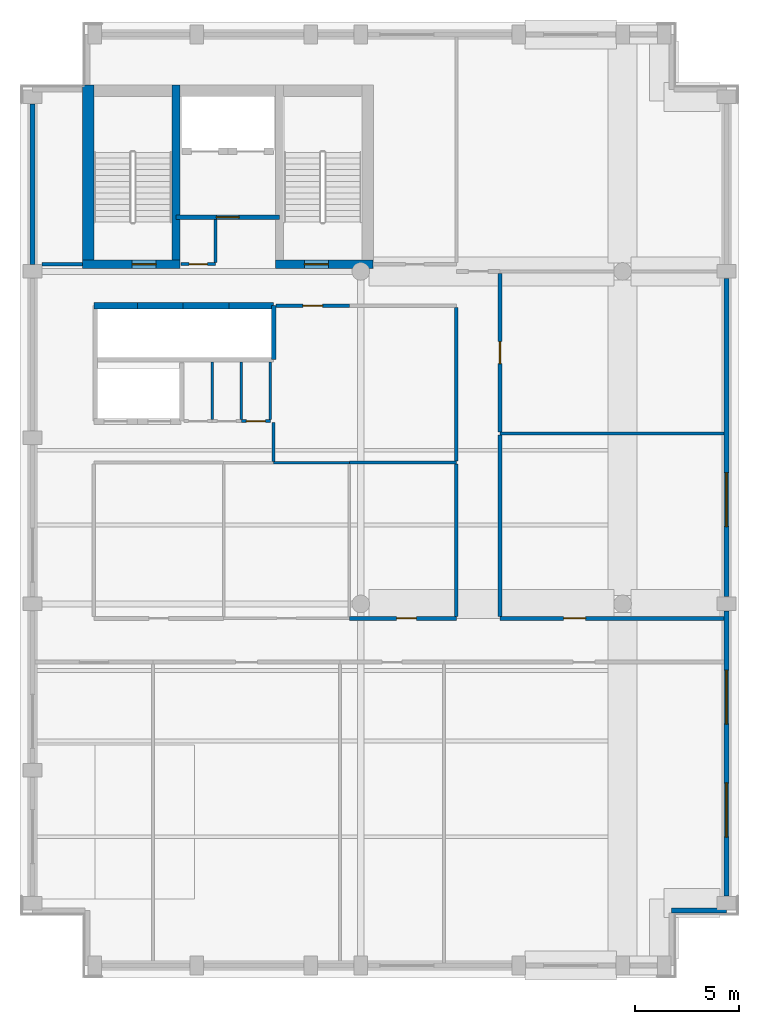
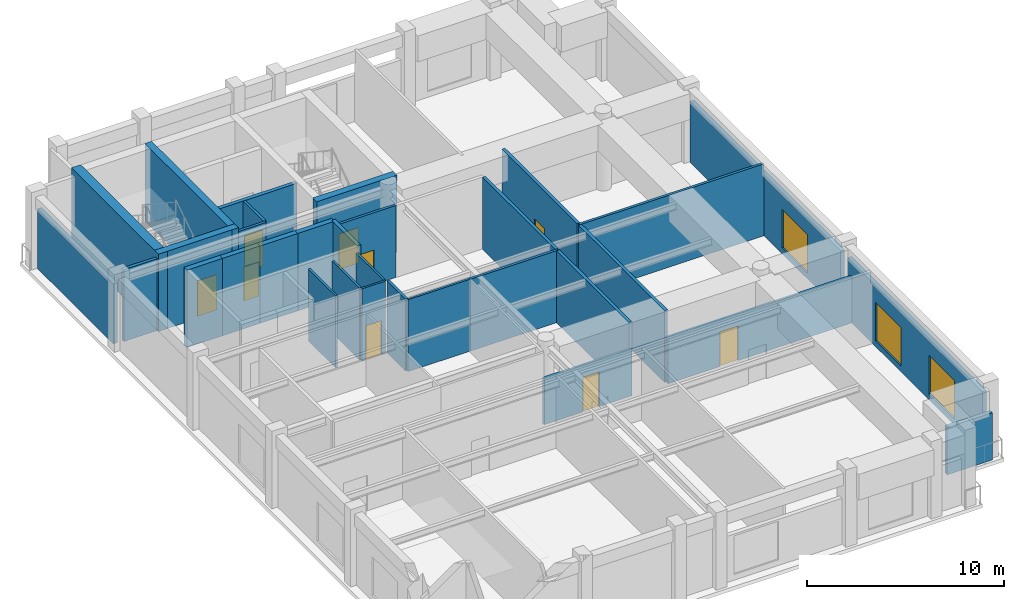
# One storey, part 3 of 6: 32 walls, 9 doors, 3 windows, 12 openings.
"""IFC4 building model written with IfcOpenShell, lengths in metres."""

from ifc_helpers import new_model, si_unit, direction, frame, frame_2d, origin, place, context, subcontext, project, spatial, rectangle, extrude, material, layer, layer_set, type_object, element, fill, save


model = new_model("IFC4")

# Units and contexts
model_context = context("Model", 3, precision=1e-05, world=origin(), true_north=direction((0.0, 1.0)))
body_context = subcontext(model_context, "Body", "Model", "MODEL_VIEW")
ifc_project = project(units=[si_unit("LENGTHUNIT", "METRE"), si_unit("AREAUNIT", "SQUARE_METRE"), si_unit("VOLUMEUNIT", "CUBIC_METRE"), si_unit("PLANEANGLEUNIT", "RADIAN"), si_unit("MASSUNIT", "GRAM", prefix="KILO")], contexts=[model_context])

# Site, building, storey
site_placement = place(None, origin())
site = spatial("IfcSite", under=ifc_project, at=site_placement, CompositionType="ELEMENT")
building_placement = place(site_placement, origin())
building = spatial("IfcBuilding", under=site, at=building_placement, Name="Sulina Concourse Tower", CompositionType="ELEMENT")
storey_placement = place(building_placement, frame((0.0, 0.0, 313.0)))
storey = spatial("IfcBuildingStorey", under=building, at=storey_placement, Name="L76", CompositionType="ELEMENT", Elevation=313.0)

# Walls
ifc_material_1 = material(Name="Concrete C50/60", Category="concrete")
ifc_layer_1 = layer(ifc_material_1, 0.219970703125)
ifc_layer_set_1 = layer_set([ifc_layer_1], Name="Concrete C50/60")
wall_type_1 = type_object("IfcWallType", Name="Core Lift Hoistway Divider Wall 220mm", PredefinedType="SOLIDWALL", material=ifc_layer_set_1)
wall_1_placement = place(storey_placement, frame((12.219970703125, 29.75, 0.0), z_axis=(0.0, 0.0, 1.0), x_axis=(0.0, 1.0, 0.0)))
element("IfcWall", 1, at=wall_1_placement, inside=storey, type_object=wall_type_1, Name="L76 shaft divider wall HW-LP3-E", PredefinedType="SOLIDWALL", context=body_context, shape_type="SweptSolid", body=[
    extrude(rectangle(XDim=2.60009765625, YDim=0.219970703125, at=frame_2d((1.300048828125, 0.0))), origin(), (0.0, 0.0, 1.0), 4.800048828125),
])
ifc_material_2 = material(Name="Concrete C50/60", Category="concrete")
ifc_layer_2 = layer(ifc_material_2, 0.300048828125)
ifc_layer_set_2 = layer_set([ifc_layer_2], Name="Concrete C50/60")
wall_type_2 = type_object("IfcWallType", Name="Core Lift Hoistway Wall 300mm", PredefinedType="SOLIDWALL", material=ifc_layer_set_2)
wall_2_placement = place(storey_placement, frame((3.550048828125, 32.35009765625, 0.0), z_axis=(0.0, 0.0, 1.0), x_axis=(1.0, 0.0, 0.0)))
element("IfcWall", 2, at=wall_2_placement, inside=storey, type_object=wall_type_2, Name="L76 hoistway enclosure wall LP-09", PredefinedType="SOLIDWALL", context=body_context, shape_type="SweptSolid", body=[
    extrude(rectangle(XDim=2.099853515625, YDim=0.300048828125, at=frame_2d((1.0498046875, 0.0))), origin(), (0.0, 0.0, 1.0), 4.800048828125),
])
wall_3_placement = place(storey_placement, frame((5.64990234375, 32.35009765625, 0.0), z_axis=(0.0, 0.0, 1.0), x_axis=(1.0, 0.0, 0.0)))
element("IfcWall", 3, at=wall_3_placement, inside=storey, type_object=wall_type_2, Name="L76 hoistway enclosure wall LP-10", PredefinedType="SOLIDWALL", context=body_context, shape_type="SweptSolid", body=[
    extrude(rectangle(XDim=2.2001953125, YDim=0.300048828125, at=frame_2d((1.10009765625, 0.0))), origin(), (0.0, 0.0, 1.0), 4.800048828125),
])
wall_4_placement = place(storey_placement, frame((7.85009765625, 32.35009765625, 0.0), z_axis=(0.0, 0.0, 1.0), x_axis=(1.0, 0.0, 0.0)))
element("IfcWall", 4, at=wall_4_placement, inside=storey, type_object=wall_type_2, Name="L76 hoistway enclosure wall LP-11", PredefinedType="SOLIDWALL", context=body_context, shape_type="SweptSolid", body=[
    extrude(rectangle(XDim=2.199951171875, YDim=0.300048828125, at=frame_2d((1.10009765625, 0.0))), origin(), (0.0, 0.0, 1.0), 4.800048828125),
])
wall_5_placement = place(storey_placement, frame((10.050048828125, 32.35009765625, 0.0), z_axis=(0.0, 0.0, 1.0), x_axis=(1.0, 0.0, 0.0)))
element("IfcWall", 5, at=wall_5_placement, inside=storey, type_object=wall_type_2, Name="L76 hoistway enclosure wall LP-12", PredefinedType="SOLIDWALL", context=body_context, shape_type="SweptSolid", body=[
    extrude(rectangle(XDim=2.14990234375, YDim=0.300048828125, at=frame_2d((1.074951171875, 0.0))), origin(), (0.0, 0.0, 1.0), 4.800048828125),
])
ifc_material_3 = material(Name="Precast concrete C50/60", Category="concrete")
ifc_layer_3 = layer(ifc_material_3, 0.239990234375)
ifc_layer_set_3 = layer_set([ifc_layer_3], Name="Precast concrete C50/60")
wall_type_3 = type_object("IfcWallType", Name="Crown Precast Masonry-Frame Facade Wall 240mm", PredefinedType="SOLIDWALL", material=ifc_layer_set_3)
wall_6_placement = place(storey_placement, frame((0.60009765625, 34.344970703125, 0.0), z_axis=(0.0, 0.0, 1.0), x_axis=(0.0, 1.0, 0.0)))
element("IfcWall", 6, at=wall_6_placement, inside=storey, type_object=wall_type_3, Name="L76 exterior precast wall W5", PredefinedType="SOLIDWALL", context=body_context, shape_type="SweptSolid", body=[
    extrude(rectangle(XDim=7.7099609375, YDim=0.239990234375, at=frame_2d((3.85498046875, 0.0))), origin(), (0.0, 0.0, 1.0), 3.7099609375),
])

# Wall, openings, windows
wall_7_placement = place(storey_placement, frame((34.0, 17.655029296875, 0.0), z_axis=(0.0, 0.0, 1.0), x_axis=(0.0, -1.0, 0.0)))
wall_7 = element("IfcWall", 7, at=wall_7_placement, inside=storey, type_object=wall_type_3, Name="L76 exterior precast wall E1", PredefinedType="SOLIDWALL", context=body_context, shape_type="SweptSolid", body=[
    extrude(rectangle(XDim=13.7099609375, YDim=0.239990234375, at=frame_2d((6.85498046875, 0.0))), origin(), (0.0, 0.0, 1.0), 3.780029296875),
])
opening_1_placement = place(wall_7_placement, frame((2.836669921875, 0.0, 0.35009765625)))
opening_1 = element("IfcOpeningElement", 8, at=opening_1_placement, cuts=wall_7, Name="Opening WN-68", PredefinedType="OPENING", context=body_context, shape_type="SweptSolid", body=[
    extrude(rectangle(XDim=2.60009765625, YDim=2.39990234375, at=frame_2d((1.300048828125, 1.199951171875))), frame((0.0, 0.1298828125, 0.0), z_axis=(0.0, -1.0, 0.0), x_axis=(1.0, 0.0, 0.0)), (0.0, 0.0, 1.0), 0.260009765625),
])
opening_2_placement = place(wall_7_placement, frame((8.273193359375, 0.0, 0.35009765625)))
opening_2 = element("IfcOpeningElement", 9, at=opening_2_placement, cuts=wall_7, Name="Opening WN-68", PredefinedType="OPENING", context=body_context, shape_type="SweptSolid", body=[
    extrude(rectangle(XDim=2.60009765625, YDim=2.39990234375, at=frame_2d((1.300048828125, 1.199951171875))), frame((0.0, 0.1298828125, 0.0), z_axis=(0.0, -1.0, 0.0), x_axis=(1.0, 0.0, 0.0)), (0.0, 0.0, 1.0), 0.260009765625),
])
ifc_material_4 = material(Name="Low-E solar double glazing in bronze aluminium", Category="aluminium")
window_type = type_object("IfcWindowType", Name="Crown Observation Picture Window 2600x2400", PartitioningType="DOUBLE_PANEL_VERTICAL", PredefinedType="WINDOW", material=ifc_material_4)
window_1_placement = place(opening_1_placement, origin())
window_1 = element("IfcWindow", 10, at=window_1_placement, inside=storey, type_object=window_type, Name="L76 punched window E1-1", OverallHeight=2.39990234375, OverallWidth=2.60009765625, PartitioningType="SINGLE_PANEL", PredefinedType="WINDOW", context=body_context, shape_type="SweptSolid", body=[
    extrude(rectangle(XDim=2.60009765625, YDim=2.39990234375, at=frame_2d((1.300048828125, 1.199951171875))), frame((0.0, 0.030029296875, 0.0), z_axis=(0.0, -1.0, 0.0), x_axis=(1.0, 0.0, 0.0)), (0.0, 0.0, 1.0), 0.06005859375),
])
fill(opening_1, window_1)
window_2_placement = place(opening_2_placement, origin())
window_2 = element("IfcWindow", 11, at=window_2_placement, inside=storey, type_object=window_type, Name="L76 punched window E1-2", OverallHeight=2.39990234375, OverallWidth=2.60009765625, PartitioningType="SINGLE_PANEL", PredefinedType="WINDOW", context=body_context, shape_type="SweptSolid", body=[
    extrude(rectangle(XDim=2.60009765625, YDim=2.39990234375, at=frame_2d((1.300048828125, 1.199951171875))), frame((0.0, 0.030029296875, 0.0), z_axis=(0.0, -1.0, 0.0), x_axis=(1.0, 0.0, 0.0)), (0.0, 0.0, 1.0), 0.06005859375),
])
fill(opening_2, window_2)

# Wall, opening, window
wall_8_placement = place(storey_placement, frame((34.0, 33.655029296875, 0.0), z_axis=(0.0, 0.0, 1.0), x_axis=(0.0, -1.0, 0.0)))
wall_8 = element("IfcWall", 12, at=wall_8_placement, inside=storey, type_object=wall_type_3, Name="L76 exterior precast wall E2", PredefinedType="SOLIDWALL", context=body_context, shape_type="SweptSolid", body=[
    extrude(rectangle(XDim=15.31005859375, YDim=0.239990234375, at=frame_2d((7.655029296875, 0.0))), origin(), (0.0, 0.0, 1.0), 3.780029296875),
])
opening_3_placement = place(wall_8_placement, frame((9.340087890625, 0.0, 0.35009765625)))
opening_3 = element("IfcOpeningElement", 13, at=opening_3_placement, cuts=wall_8, Name="Opening WN-68", PredefinedType="OPENING", context=body_context, shape_type="SweptSolid", body=[
    extrude(rectangle(XDim=2.60009765625, YDim=2.39990234375, at=frame_2d((1.300048828125, 1.199951171875))), frame((0.0, 0.1298828125, 0.0), z_axis=(0.0, -1.0, 0.0), x_axis=(1.0, 0.0, 0.0)), (0.0, 0.0, 1.0), 0.260009765625),
])
window_3_placement = place(opening_3_placement, origin())
window_3 = element("IfcWindow", 14, at=window_3_placement, inside=storey, type_object=window_type, Name="L76 punched window E2-1", OverallHeight=2.39990234375, OverallWidth=2.60009765625, PartitioningType="SINGLE_PANEL", PredefinedType="WINDOW", context=body_context, shape_type="SweptSolid", body=[
    extrude(rectangle(XDim=2.60009765625, YDim=2.39990234375, at=frame_2d((1.300048828125, 1.199951171875))), frame((0.0, 0.030029296875, 0.0), z_axis=(0.0, -1.0, 0.0), x_axis=(1.0, 0.0, 0.0)), (0.0, 0.0, 1.0), 0.06005859375),
])
fill(opening_3, window_3)

# Wall
wall_9_placement = place(storey_placement, frame((34.0, 3.2548828125, 0.0), z_axis=(0.0, 0.0, 1.0), x_axis=(-1.0, 0.0, 0.0)))
element("IfcWall", 15, at=wall_9_placement, inside=storey, type_object=wall_type_3, Name="L76 exterior precast wall CSE1", PredefinedType="SOLIDWALL", context=body_context, shape_type="SweptSolid", body=[
    extrude(rectangle(XDim=2.655029296875, YDim=0.239990234375, at=frame_2d((1.32763671875, 0.0))), origin(), (0.0, 0.0, 1.0), 2.929931640625),
])

# Wall, opening, door
ifc_material_5 = material(Name="Gypsum board on steel stud", Category="steel")
ifc_layer_4 = layer(ifc_material_5, 0.219970703125)
ifc_layer_set_4 = layer_set([ifc_layer_4], Name="Gypsum board on steel stud")
wall_type_4 = type_object("IfcWallType", Name="Fire-Rated Lobby & Compartment Wall 220mm", PredefinedType="PARTITIONING", material=ifc_layer_set_4)
wall_10_placement = place(storey_placement, frame((7.510009765625, 36.60009765625, 0.0), z_axis=(0.0, 0.0, 1.0), x_axis=(1.0, 0.0, 0.0)))
wall_10 = element("IfcWall", 16, at=wall_10_placement, inside=storey, type_object=wall_type_4, Name="L76 firefighting lobby south fire wall", PredefinedType="PARTITIONING", context=body_context, shape_type="SweptSolid", body=[
    extrude(rectangle(XDim=4.97998046875, YDim=0.219970703125, at=frame_2d((2.489990234375, 0.0))), origin(), (0.0, 0.0, 1.0), 4.4599609375),
])
opening_4_placement = place(wall_10_placement, frame((1.93994140625, 0.0, 0.0)))
opening_4 = element("IfcOpeningElement", 17, at=opening_4_placement, cuts=wall_10, Name="Opening DR-47", PredefinedType="OPENING", context=body_context, shape_type="SweptSolid", body=[
    extrude(rectangle(XDim=1.10009765625, YDim=2.199951171875, at=frame_2d((0.550048828125, 1.10009765625))), frame((0.0, 0.119873046875, 0.0), z_axis=(0.0, -1.0, 0.0), x_axis=(1.0, 0.0, 0.0)), (0.0, 0.0, 1.0), 0.239990234375),
])
ifc_material_6 = material(Name="Galvanised steel acoustic fire leaf", Category="steel")
ifc_layer_5 = layer(ifc_material_6, 0.054931640625)
ifc_layer_set_5 = layer_set([ifc_layer_5], Name="Galvanised steel acoustic fire leaf")
door_type_1 = type_object("IfcDoorType", Name="Firefighting Lobby Fire Door 1100x2200", OperationType="NOTDEFINED", PredefinedType="DOOR", material=ifc_layer_set_5)
door_1_placement = place(opening_4_placement, origin())
door_1 = element("IfcDoor", 18, at=door_1_placement, inside=storey, type_object=door_type_1, Name="L76 firefighting lobby fire door", OperationType="SINGLE_SWING_LEFT", OverallHeight=2.199951171875, OverallWidth=1.10009765625, PredefinedType="DOOR", context=body_context, shape_type="SweptSolid", body=[
    extrude(rectangle(XDim=1.10009765625, YDim=2.199951171875, at=frame_2d((0.550048828125, 1.10009765625))), frame((0.0, 0.02490234375, 0.0), z_axis=(0.0, -1.0, 0.0), x_axis=(1.0, 0.0, 0.0)), (0.0, 0.0, 1.0), 0.050048828125),
])
fill(opening_4, door_1)

# Walls
ifc_material_7 = material(Name="Gypsum board on steel stud", Category="steel")
ifc_layer_6 = layer(ifc_material_7, 0.14990234375)
ifc_layer_set_6 = layer_set([ifc_layer_6], Name="Gypsum board on steel stud")
wall_type_5 = type_object("IfcWallType", Name="Inter-Tenancy Acoustic Partition 150mm", PredefinedType="PARTITIONING", material=ifc_layer_set_6)
wall_11_placement = place(storey_placement, frame((15.85009765625, 24.800048828125, 0.0), z_axis=(0.0, 0.0, 1.0), x_axis=(1.0, 0.0, 0.0)))
element("IfcWall", 19, at=wall_11_placement, inside=storey, type_object=wall_type_5, Name="L76 interior partition 012", PredefinedType="PARTITIONING", context=body_context, shape_type="SweptSolid", body=[
    extrude(rectangle(XDim=5.14990234375, YDim=0.14990234375, at=frame_2d((2.574951171875, 0.0))), origin(), (0.0, 0.0, 1.0), 4.4599609375),
])
wall_12_placement = place(storey_placement, frame((23.10009765625, 26.199951171875, 0.0), z_axis=(0.0, 0.0, 1.0), x_axis=(1.0, 0.0, 0.0)))
element("IfcWall", 20, at=wall_12_placement, inside=storey, type_object=wall_type_5, Name="L76 interior partition 013", PredefinedType="PARTITIONING", context=body_context, shape_type="SweptSolid", body=[
    extrude(rectangle(XDim=10.77978515625, YDim=0.14990234375, at=frame_2d((5.389892578125, 0.0))), origin(), (0.0, 0.0, 1.0), 4.4599609375),
])

# Wall, opening, door
wall_13_placement = place(storey_placement, frame((12.330078125, 32.35009765625, 0.0), z_axis=(0.0, 0.0, 1.0), x_axis=(1.0, 0.0, 0.0)))
wall_13 = element("IfcWall", 21, at=wall_13_placement, inside=storey, type_object=wall_type_5, Name="L76 interior partition 017", PredefinedType="PARTITIONING", context=body_context, shape_type="SweptSolid", body=[
    extrude(rectangle(XDim=3.52001953125, YDim=0.14990234375, at=frame_2d((1.760009765625, 0.0))), origin(), (0.0, 0.0, 1.0), 4.4599609375),
])
opening_5_placement = place(wall_13_placement, frame((1.284912109375, 0.0, 0.0)))
opening_5 = element("IfcOpeningElement", 22, at=opening_5_placement, cuts=wall_13, Name="Opening DR-19", PredefinedType="OPENING", context=body_context, shape_type="SweptSolid", body=[
    extrude(rectangle(XDim=0.949951171875, YDim=2.14990234375, at=frame_2d((0.47509765625, 1.074951171875))), frame((0.0, 0.0849609375, 0.0), z_axis=(0.0, -1.0, 0.0), x_axis=(1.0, 0.0, 0.0)), (0.0, 0.0, 1.0), 0.169921875),
])
ifc_material_8 = material(Name="Oak-veneered acoustic timber leaf", Category="wood")
ifc_layer_7 = layer(ifc_material_8, 0.050048828125)
ifc_layer_set_7 = layer_set([ifc_layer_7], Name="Oak-veneered acoustic timber leaf")
door_type_2 = type_object("IfcDoorType", Name="Cellular Office & Meeting Door 950x2150", OperationType="NOTDEFINED", PredefinedType="DOOR", material=ifc_layer_set_7)
door_2_placement = place(opening_5_placement, origin())
door_2 = element("IfcDoor", 23, at=door_2_placement, inside=storey, type_object=door_type_2, Name="L76 interior door L76-MR-MRG1", OperationType="SINGLE_SWING_RIGHT", OverallHeight=2.14990234375, OverallWidth=0.949951171875, PredefinedType="DOOR", context=body_context, shape_type="SweptSolid", body=[
    extrude(rectangle(XDim=0.949951171875, YDim=2.14990234375, at=frame_2d((0.47509765625, 1.074951171875))), frame((0.0, 0.02490234375, 0.0), z_axis=(0.0, -1.0, 0.0), x_axis=(1.0, 0.0, 0.0)), (0.0, 0.0, 1.0), 0.050048828125),
])
fill(opening_5, door_2)

wall_14_placement = place(storey_placement, frame((7.75, 34.35009765625, 0.0), z_axis=(0.0, 0.0, 1.0), x_axis=(1.0, 0.0, 0.0)))
wall_14 = element("IfcWall", 24, at=wall_14_placement, inside=storey, type_object=wall_type_5, Name="L76 interior partition 023", PredefinedType="PARTITIONING", context=body_context, shape_type="SweptSolid", body=[
    extrude(rectangle(XDim=1.64990234375, YDim=0.14990234375, at=frame_2d((0.824951171875, 0.0))), origin(), (0.0, 0.0, 1.0), 4.4599609375),
])
opening_6_placement = place(wall_14_placement, frame((0.385009765625, 0.0, 0.0)))
opening_6 = element("IfcOpeningElement", 25, at=opening_6_placement, cuts=wall_14, Name="Opening DR-38", PredefinedType="OPENING", context=body_context, shape_type="SweptSolid", body=[
    extrude(rectangle(XDim=0.8798828125, YDim=2.10009765625, at=frame_2d((0.43994140625, 1.050048828125))), frame((0.0, 0.0849609375, 0.0), z_axis=(0.0, -1.0, 0.0), x_axis=(1.0, 0.0, 0.0)), (0.0, 0.0, 1.0), 0.169921875),
])
ifc_material_9 = material(Name="Galvanised steel acoustic fire leaf", Category="steel")
ifc_layer_8 = layer(ifc_material_9, 0.050048828125)
ifc_layer_set_8 = layer_set([ifc_layer_8], Name="Galvanised steel acoustic fire leaf")
door_type_3 = type_object("IfcDoorType", Name="Service Riser Fire Door 880x2100", OperationType="NOTDEFINED", PredefinedType="DOOR", material=ifc_layer_set_8)
door_3_placement = place(opening_6_placement, origin())
door_3 = element("IfcDoor", 26, at=door_3_placement, inside=storey, type_object=door_type_3, Name="L76 interior door L76-CLN-N", OperationType="SINGLE_SWING_RIGHT", OverallHeight=2.10009765625, OverallWidth=0.8798828125, PredefinedType="DOOR", context=body_context, shape_type="SweptSolid", body=[
    extrude(rectangle(XDim=0.8798828125, YDim=2.10009765625, at=frame_2d((0.43994140625, 1.050048828125))), frame((0.0, 0.02490234375, 0.0), z_axis=(0.0, -1.0, 0.0), x_axis=(1.0, 0.0, 0.0)), (0.0, 0.0, 1.0), 0.050048828125),
])
fill(opening_6, door_3)

# Walls
wall_15_placement = place(storey_placement, frame((9.39990234375, 34.425048828125, 0.0), z_axis=(0.0, 0.0, 1.0), x_axis=(0.0, 1.0, 0.0)))
element("IfcWall", 27, at=wall_15_placement, inside=storey, type_object=wall_type_5, Name="L76 interior partition 028", PredefinedType="PARTITIONING", context=body_context, shape_type="SweptSolid", body=[
    extrude(rectangle(XDim=2.06494140625, YDim=0.14990234375, at=frame_2d((1.032470703125, 0.0))), origin(), (0.0, 0.0, 1.0), 4.4599609375),
])
wall_16_placement = place(storey_placement, frame((12.199951171875, 24.862548828125, 0.0), z_axis=(0.0, 0.0, 1.0), x_axis=(0.0, 1.0, 0.0)))
element("IfcWall", 28, at=wall_16_placement, inside=storey, type_object=wall_type_5, Name="L76 interior partition 032", PredefinedType="PARTITIONING", context=body_context, shape_type="SweptSolid", body=[
    extrude(rectangle(XDim=1.875, YDim=0.14990234375, at=frame_2d((0.9375, 0.0))), origin(), (0.0, 0.0, 1.0), 4.4599609375),
])

# Wall, opening, door
ifc_material_10 = material(Name="Gypsum board on steel stud", Category="steel")
ifc_layer_9 = layer(ifc_material_10, 0.179931640625)
ifc_layer_set_9 = layer_set([ifc_layer_9], Name="Gypsum board on steel stud")
wall_type_6 = type_object("IfcWallType", Name="Protected Corridor & Riser Partition 180mm", PredefinedType="PARTITIONING", material=ifc_layer_set_9)
wall_17_placement = place(storey_placement, frame((15.85009765625, 17.300048828125, 0.0), z_axis=(0.0, 0.0, 1.0), x_axis=(1.0, 0.0, 0.0)))
wall_17 = element("IfcWall", 29, at=wall_17_placement, inside=storey, type_object=wall_type_6, Name="L76 interior partition 007", PredefinedType="PARTITIONING", context=body_context, shape_type="SweptSolid", body=[
    extrude(rectangle(XDim=5.14990234375, YDim=0.179931640625, at=frame_2d((2.574951171875, 0.0))), origin(), (0.0, 0.0, 1.0), 2.85498046875),
])
opening_7_placement = place(wall_17_placement, frame((2.280029296875, 0.0, 0.0)))
opening_7 = element("IfcOpeningElement", 30, at=opening_7_placement, cuts=wall_17, Name="Opening DR-19", PredefinedType="OPENING", context=body_context, shape_type="SweptSolid", body=[
    extrude(rectangle(XDim=0.949951171875, YDim=2.14990234375, at=frame_2d((0.47509765625, 1.074951171875))), frame((0.0, 0.099853515625, 0.0), z_axis=(0.0, -1.0, 0.0), x_axis=(1.0, 0.0, 0.0)), (0.0, 0.0, 1.0), 0.199951171875),
])
door_4_placement = place(opening_7_placement, origin())
door_4 = element("IfcDoor", 31, at=door_4_placement, inside=storey, type_object=door_type_2, Name="L76 interior door L76-REC-OBW", OperationType="SINGLE_SWING_LEFT", OverallHeight=2.14990234375, OverallWidth=0.949951171875, PredefinedType="DOOR", context=body_context, shape_type="SweptSolid", body=[
    extrude(rectangle(XDim=0.949951171875, YDim=2.14990234375, at=frame_2d((0.47509765625, 1.074951171875))), frame((0.0, 0.02490234375, 0.0), z_axis=(0.0, -1.0, 0.0), x_axis=(1.0, 0.0, 0.0)), (0.0, 0.0, 1.0), 0.050048828125),
])
fill(opening_7, door_4)

wall_18_placement = place(storey_placement, frame((23.10009765625, 17.300048828125, 0.0), z_axis=(0.0, 0.0, 1.0), x_axis=(1.0, 0.0, 0.0)))
wall_18 = element("IfcWall", 32, at=wall_18_placement, inside=storey, type_object=wall_type_6, Name="L76 interior partition 008", PredefinedType="PARTITIONING", context=body_context, shape_type="SweptSolid", body=[
    extrude(rectangle(XDim=10.77978515625, YDim=0.179931640625, at=frame_2d((5.389892578125, 0.0))), origin(), (0.0, 0.0, 1.0), 2.85498046875),
])
opening_8_placement = place(wall_18_placement, frame((3.06494140625, 0.0, 0.0)))
opening_8 = element("IfcOpeningElement", 33, at=opening_8_placement, cuts=wall_18, Name="Opening DR-37", PredefinedType="OPENING", context=body_context, shape_type="SweptSolid", body=[
    extrude(rectangle(XDim=1.050048828125, YDim=2.14990234375, at=frame_2d((0.52490234375, 1.074951171875))), frame((0.0, 0.099853515625, 0.0), z_axis=(0.0, -1.0, 0.0), x_axis=(1.0, 0.0, 0.0)), (0.0, 0.0, 1.0), 0.199951171875),
])
ifc_material_11 = material(Name="Oak-veneered fire door leaf")
ifc_layer_10 = layer(ifc_material_11, 0.050048828125)
ifc_layer_set_10 = layer_set([ifc_layer_10], Name="Oak-veneered fire door leaf")
door_type_4 = type_object("IfcDoorType", Name="Tenant Suite Entrance Fire Door 1050x2150", OperationType="NOTDEFINED", PredefinedType="DOOR", material=ifc_layer_set_10)
door_5_placement = place(opening_8_placement, origin())
door_5 = element("IfcDoor", 34, at=door_5_placement, inside=storey, type_object=door_type_4, Name="L76 interior door L76-STD-OBE", OperationType="SINGLE_SWING_RIGHT", OverallHeight=2.14990234375, OverallWidth=1.050048828125, PredefinedType="DOOR", context=body_context, shape_type="SweptSolid", body=[
    extrude(rectangle(XDim=1.050048828125, YDim=2.14990234375, at=frame_2d((0.52490234375, 1.074951171875))), frame((0.0, 0.02490234375, 0.0), z_axis=(0.0, -1.0, 0.0), x_axis=(1.0, 0.0, 0.0)), (0.0, 0.0, 1.0), 0.050048828125),
])
fill(opening_8, door_5)

# Walls
wall_19_placement = place(storey_placement, frame((1.050048828125, 34.35009765625, 0.0), z_axis=(0.0, 0.0, 1.0), x_axis=(1.0, 0.0, 0.0)))
element("IfcWall", 35, at=wall_19_placement, inside=storey, type_object=wall_type_6, Name="L76 interior partition 022", PredefinedType="PARTITIONING", context=body_context, shape_type="SweptSolid", body=[
    extrude(rectangle(XDim=1.949951171875, YDim=0.179931640625, at=frame_2d((0.97509765625, 0.0))), origin(), (0.0, 0.0, 1.0), 4.4599609375),
])
wall_20_placement = place(storey_placement, frame((21.0, 17.389892578125, 0.0), z_axis=(0.0, 0.0, 1.0), x_axis=(0.0, 1.0, 0.0)))
element("IfcWall", 36, at=wall_20_placement, inside=storey, type_object=wall_type_6, Name="L76 interior partition 036", PredefinedType="PARTITIONING", context=body_context, shape_type="SweptSolid", body=[
    extrude(rectangle(XDim=7.335205078125, YDim=0.179931640625, at=frame_2d((3.66748046875, 0.0))), origin(), (0.0, 0.0, 1.0), 4.4599609375),
])
wall_21_placement = place(storey_placement, frame((21.0, 24.875, 0.0), z_axis=(0.0, 0.0, 1.0), x_axis=(0.0, 1.0, 0.0)))
element("IfcWall", 37, at=wall_21_placement, inside=storey, type_object=wall_type_6, Name="L76 interior partition 037", PredefinedType="PARTITIONING", context=body_context, shape_type="SweptSolid", body=[
    extrude(rectangle(XDim=7.385009765625, YDim=0.179931640625, at=frame_2d((3.6923828125, 0.0))), origin(), (0.0, 0.0, 1.0), 4.4599609375),
])
wall_22_placement = place(storey_placement, frame((23.10009765625, 17.389892578125, 0.0), z_axis=(0.0, 0.0, 1.0), x_axis=(0.0, 1.0, 0.0)))
element("IfcWall", 38, at=wall_22_placement, inside=storey, type_object=wall_type_6, Name="L76 interior partition 039", PredefinedType="PARTITIONING", context=body_context, shape_type="SweptSolid", body=[
    extrude(rectangle(XDim=8.735107421875, YDim=0.179931640625, at=frame_2d((4.36767578125, 0.0))), origin(), (0.0, 0.0, 1.0), 4.4599609375),
])

# Wall, opening, door
wall_23_placement = place(storey_placement, frame((23.10009765625, 26.27490234375, 0.0), z_axis=(0.0, 0.0, 1.0), x_axis=(0.0, 1.0, 0.0)))
wall_23 = element("IfcWall", 39, at=wall_23_placement, inside=storey, type_object=wall_type_6, Name="L76 interior partition 040", PredefinedType="PARTITIONING", context=body_context, shape_type="SweptSolid", body=[
    extrude(rectangle(XDim=7.635009765625, YDim=0.179931640625, at=frame_2d((3.8173828125, 0.0))), origin(), (0.0, 0.0, 1.0), 4.4599609375),
])
opening_9_placement = place(wall_23_placement, frame((3.29248046875, 0.0, 0.0)))
opening_9 = element("IfcOpeningElement", 40, at=opening_9_placement, cuts=wall_23, Name="Opening DR-37", PredefinedType="OPENING", context=body_context, shape_type="SweptSolid", body=[
    extrude(rectangle(XDim=1.050048828125, YDim=2.14990234375, at=frame_2d((0.52490234375, 1.074951171875))), frame((0.0, 0.099853515625, 0.0), z_axis=(0.0, -1.0, 0.0), x_axis=(1.0, 0.0, 0.0)), (0.0, 0.0, 1.0), 0.199951171875),
])
door_6_placement = place(opening_9_placement, origin())
door_6 = element("IfcDoor", 41, at=door_6_placement, inside=storey, type_object=door_type_4, Name="L76 interior door L76-OFF-OBE", OperationType="SINGLE_SWING_RIGHT", OverallHeight=2.14990234375, OverallWidth=1.050048828125, PredefinedType="DOOR", context=body_context, shape_type="SweptSolid", body=[
    extrude(rectangle(XDim=1.050048828125, YDim=2.14990234375, at=frame_2d((0.52490234375, 1.074951171875))), frame((0.0, 0.02490234375, 0.0), z_axis=(0.0, -1.0, 0.0), x_axis=(1.0, 0.0, 0.0)), (0.0, 0.0, 1.0), 0.050048828125),
])
fill(opening_9, door_6)

ifc_material_12 = material(Name="Concrete C60/75", Category="concrete")
ifc_layer_11 = layer(ifc_material_12, 0.39990234375)
ifc_layer_set_11 = layer_set([ifc_layer_11], Name="Concrete C60/75")
wall_type_7 = type_object("IfcWallType", Name="Protected Stair Core Shear Wall 400mm", PredefinedType="SHEAR", material=ifc_layer_set_11)
wall_24_placement = place(storey_placement, frame((3.0, 34.35009765625, 0.0), z_axis=(0.0, 0.0, 1.0), x_axis=(1.0, 0.0, 0.0)))
wall_24 = element("IfcWall", 42, at=wall_24_placement, inside=storey, type_object=wall_type_7, Name="L76 west core shear wall CW-WS1", PredefinedType="SHEAR", context=body_context, shape_type="SweptSolid", body=[
    extrude(rectangle(XDim=4.7099609375, YDim=0.39990234375, at=frame_2d((2.35498046875, 0.0))), origin(), (0.0, 0.0, 1.0), 4.800048828125),
])
opening_10_placement = place(wall_24_placement, frame((2.39990234375, 0.0, 0.0)))
opening_10 = element("IfcOpeningElement", 43, at=opening_10_placement, cuts=wall_24, Name="Opening DR-60", PredefinedType="OPENING", context=body_context, shape_type="SweptSolid", body=[
    extrude(rectangle(XDim=1.14990234375, YDim=2.199951171875, at=frame_2d((0.574951171875, 1.10009765625))), frame((0.0, 0.2099609375, 0.0), z_axis=(0.0, -1.0, 0.0), x_axis=(1.0, 0.0, 0.0)), (0.0, 0.0, 1.0), 0.419921875),
])
ifc_material_13 = material(Name="Galvanised steel acoustic fire leaf", Category="steel")
ifc_layer_12 = layer(ifc_material_13, 0.054931640625)
ifc_layer_set_12 = layer_set([ifc_layer_12], Name="Galvanised steel acoustic fire leaf")
door_type_5 = type_object("IfcDoorType", Name="Protected Exit Stair Fire Door 1150x2200", OperationType="NOTDEFINED", PredefinedType="DOOR", material=ifc_layer_set_12)
door_7_placement = place(opening_10_placement, origin())
door_7 = element("IfcDoor", 44, at=door_7_placement, inside=storey, type_object=door_type_5, Name="L76 stair ST-1 lobby fire door", OperationType="SINGLE_SWING_LEFT", OverallHeight=2.199951171875, OverallWidth=1.14990234375, PredefinedType="DOOR", context=body_context, shape_type="SweptSolid", body=[
    extrude(rectangle(XDim=1.14990234375, YDim=2.199951171875, at=frame_2d((0.574951171875, 1.10009765625))), frame((0.0, 0.02490234375, 0.0), z_axis=(0.0, -1.0, 0.0), x_axis=(1.0, 0.0, 0.0)), (0.0, 0.0, 1.0), 0.050048828125),
])
fill(opening_10, door_7)

wall_25_placement = place(storey_placement, frame((12.2900390625, 34.35009765625, 0.0), z_axis=(0.0, 0.0, 1.0), x_axis=(1.0, 0.0, 0.0)))
wall_25 = element("IfcWall", 45, at=wall_25_placement, inside=storey, type_object=wall_type_7, Name="L76 west core shear wall CW-WS2", PredefinedType="SHEAR", context=body_context, shape_type="SweptSolid", body=[
    extrude(rectangle(XDim=4.7099609375, YDim=0.39990234375, at=frame_2d((2.35498046875, 0.0))), origin(), (0.0, 0.0, 1.0), 4.800048828125),
])
opening_11_placement = place(wall_25_placement, frame((1.39990234375, 0.0, 0.0)))
opening_11 = element("IfcOpeningElement", 46, at=opening_11_placement, cuts=wall_25, Name="Opening DR-60", PredefinedType="OPENING", context=body_context, shape_type="SweptSolid", body=[
    extrude(rectangle(XDim=1.14990234375, YDim=2.199951171875, at=frame_2d((0.574951171875, 1.10009765625))), frame((0.0, 0.2099609375, 0.0), z_axis=(0.0, -1.0, 0.0), x_axis=(1.0, 0.0, 0.0)), (0.0, 0.0, 1.0), 0.419921875),
])
door_8_placement = place(opening_11_placement, origin())
door_8 = element("IfcDoor", 47, at=door_8_placement, inside=storey, type_object=door_type_5, Name="L76 stair ST-2 lobby fire door", OperationType="SINGLE_SWING_RIGHT", OverallHeight=2.199951171875, OverallWidth=1.14990234375, PredefinedType="DOOR", context=body_context, shape_type="SweptSolid", body=[
    extrude(rectangle(XDim=1.14990234375, YDim=2.199951171875, at=frame_2d((0.574951171875, 1.10009765625))), frame((0.0, 0.02490234375, 0.0), z_axis=(0.0, -1.0, 0.0), x_axis=(1.0, 0.0, 0.0)), (0.0, 0.0, 1.0), 0.050048828125),
])
fill(opening_11, door_8)

# Walls
wall_26_placement = place(storey_placement, frame((7.510009765625, 34.14990234375, 0.0), z_axis=(0.0, 0.0, 1.0), x_axis=(0.0, 1.0, 0.0)))
element("IfcWall", 48, at=wall_26_placement, inside=storey, type_object=wall_type_7, Name="L76 west core shear wall SW-ST1", PredefinedType="SHEAR", context=body_context, shape_type="SweptSolid", body=[
    extrude(rectangle(XDim=8.830078125, YDim=0.39990234375, at=frame_2d((4.4150390625, 0.0))), origin(), (0.0, 0.0, 1.0), 4.800048828125),
])
ifc_material_14 = material(Name="Concrete C50/60", Category="concrete")
ifc_layer_13 = layer(ifc_material_14, 0.550048828125)
ifc_layer_set_13 = layer_set([ifc_layer_13], Name="Concrete C50/60")
wall_type_8 = type_object("IfcWallType", Name="Upper Core Shear Wall 550mm", PredefinedType="SHEAR", material=ifc_layer_set_13)
wall_27_placement = place(storey_placement, frame((3.27490234375, 34.14990234375, 0.0), z_axis=(0.0, 0.0, 1.0), x_axis=(0.0, 1.0, 0.0)))
element("IfcWall", 49, at=wall_27_placement, inside=storey, type_object=wall_type_8, Name="L76 west core shear wall CW-WW", PredefinedType="SHEAR", context=body_context, shape_type="SweptSolid", body=[
    extrude(rectangle(XDim=8.830078125, YDim=0.550048828125, at=frame_2d((4.4150390625, 0.0))), origin(), (0.0, 0.0, 1.0), 4.800048828125),
])
ifc_material_15 = material(Name="Gypsum board on steel stud", Category="steel")
ifc_layer_14 = layer(ifc_material_15, 0.125)
ifc_layer_set_14 = layer_set([ifc_layer_14], Name="Gypsum board on steel stud")
wall_type_9 = type_object("IfcWallType", Name="Wet-Area Moisture-Resistant Partition 125mm", PredefinedType="PARTITIONING", material=ifc_layer_set_14)
wall_28_placement = place(storey_placement, frame((12.199951171875, 24.800048828125, 0.0), z_axis=(0.0, 0.0, 1.0), x_axis=(1.0, 0.0, 0.0)))
element("IfcWall", 50, at=wall_28_placement, inside=storey, type_object=wall_type_9, Name="L76 interior partition 011", PredefinedType="PARTITIONING", context=body_context, shape_type="SweptSolid", body=[
    extrude(rectangle(XDim=3.650146484375, YDim=0.125, at=frame_2d((1.8251953125, 0.0))), origin(), (0.0, 0.0, 1.0), 4.4599609375),
])

# Wall, opening, door
wall_29_placement = place(storey_placement, frame((10.64990234375, 26.800048828125, 0.0), z_axis=(0.0, 0.0, 1.0), x_axis=(1.0, 0.0, 0.0)))
wall_29 = element("IfcWall", 51, at=wall_29_placement, inside=storey, type_object=wall_type_9, Name="L76 interior partition 016", PredefinedType="PARTITIONING", context=body_context, shape_type="SweptSolid", body=[
    extrude(rectangle(XDim=1.400146484375, YDim=0.125, at=frame_2d((0.7001953125, 0.0))), origin(), (0.0, 0.0, 1.0), 4.4599609375),
])
opening_12_placement = place(wall_29_placement, frame((0.239990234375, 0.0, 0.0)))
opening_12 = element("IfcOpeningElement", 52, at=opening_12_placement, cuts=wall_29, Name="Opening DR-61", PredefinedType="OPENING", context=body_context, shape_type="SweptSolid", body=[
    extrude(rectangle(XDim=0.919921875, YDim=2.10009765625, at=frame_2d((0.4599609375, 1.050048828125))), frame((0.0, 0.072509765625, 0.0), z_axis=(0.0, -1.0, 0.0), x_axis=(1.0, 0.0, 0.0)), (0.0, 0.0, 1.0), 0.14501953125),
])
ifc_material_16 = material(Name="Oak-veneered fire door leaf")
ifc_layer_15 = layer(ifc_material_16, 0.050048828125)
ifc_layer_set_15 = layer_set([ifc_layer_15], Name="Oak-veneered fire door leaf")
door_type_6 = type_object("IfcDoorType", Name="Accessible WC Door 920x2100", OperationType="NOTDEFINED", PredefinedType="DOOR", material=ifc_layer_set_15)
door_9_placement = place(opening_12_placement, origin())
door_9 = element("IfcDoor", 53, at=door_9_placement, inside=storey, type_object=door_type_6, Name="L76 interior door L76-WC-ACC", OperationType="SINGLE_SWING_LEFT", OverallHeight=2.10009765625, OverallWidth=0.919921875, PredefinedType="DOOR", context=body_context, shape_type="SweptSolid", body=[
    extrude(rectangle(XDim=0.919921875, YDim=2.10009765625, at=frame_2d((0.4599609375, 1.050048828125))), frame((0.0, 0.02490234375, 0.0), z_axis=(0.0, -1.0, 0.0), x_axis=(1.0, 0.0, 0.0)), (0.0, 0.0, 1.0), 0.050048828125),
])
fill(opening_12, door_9)

# Walls
for number, where, z_axis, x_axis, name in (
    (54, (9.25, 26.862548828125, 0.0), (0.0, 0.0, 1.0), (0.0, 1.0, 0.0), "L76 interior partition 027"),
    (55, (10.64990234375, 26.862548828125, 0.0), (0.0, 0.0, 1.0), (0.0, 1.0, 0.0), "L76 interior partition 030"),
    (56, (12.050048828125, 26.862548828125, 0.0), (0.0, 0.0, 1.0), (0.0, 1.0, 0.0), "L76 interior partition 031"),
):
    element("IfcWall", number, at=place(storey_placement, frame(where, z_axis=z_axis, x_axis=x_axis)), inside=storey, type_object=wall_type_9, Name=name, PredefinedType="PARTITIONING", context=body_context, shape_type="SweptSolid", body=[
        extrude(rectangle(XDim=2.77734375, YDim=0.125, at=frame_2d((1.388671875, 0.0))), origin(), (0.0, 0.0, 1.0), 4.4599609375),
    ])

save(model, "model.ifc")
